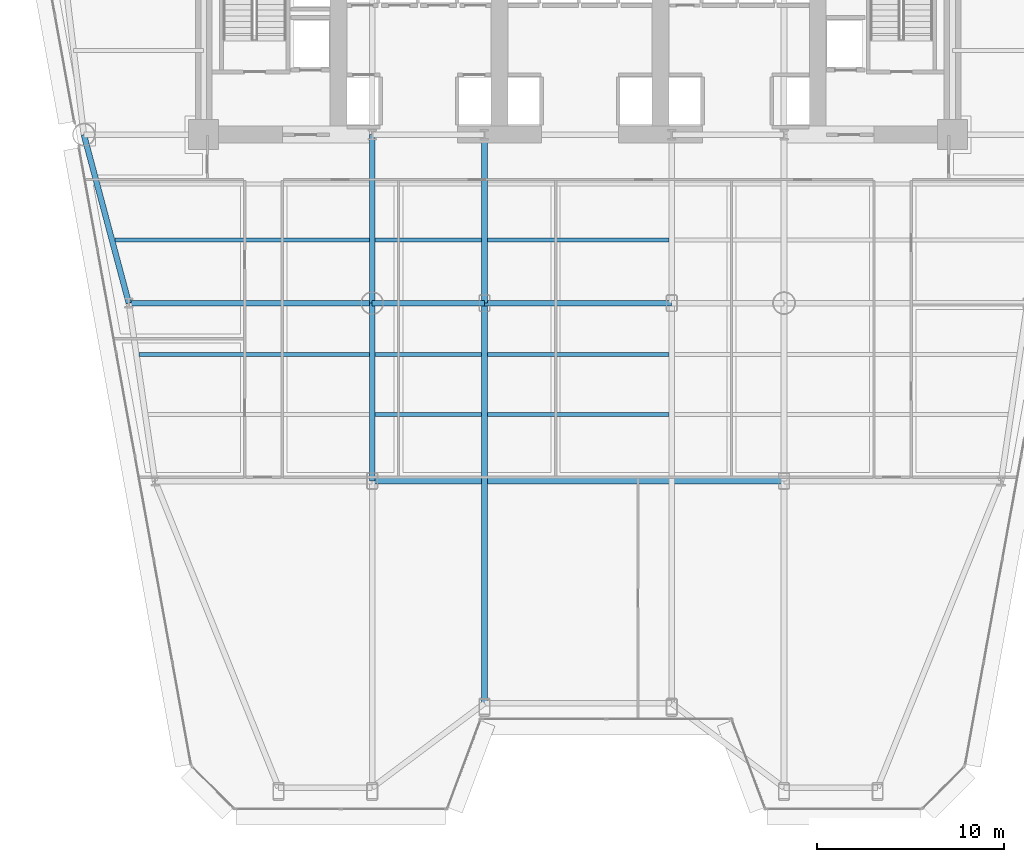
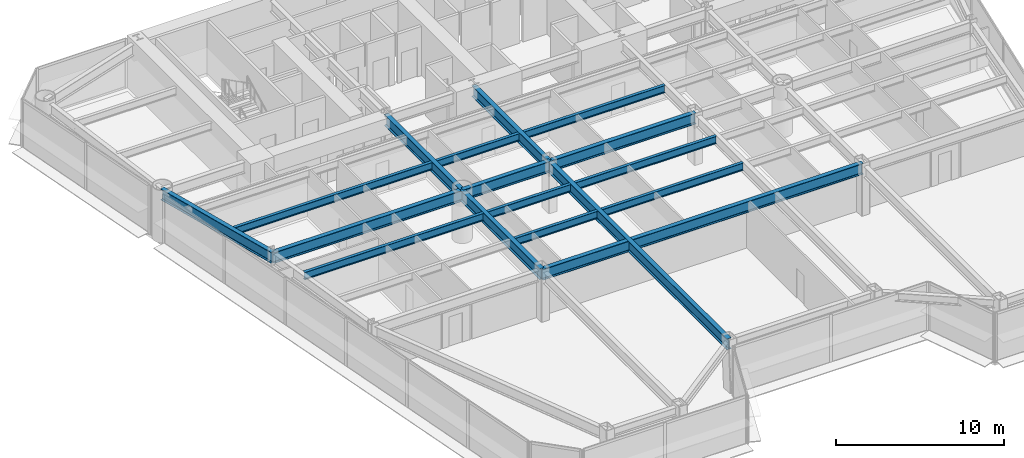
# One storey, part 3 of 14: 17 beams.
"""IFC4 building model written with IfcOpenShell, lengths in metres."""

import ifcopenshell
import ifcopenshell.guid

model = None  # the IFC model being written
_history = None  # IfcOwnerHistory: only IFC2X3 demands one
_inside = {}  # id of a spatial element -> (the spatial element, [elements in it])
_under = {}  # id of a project, library or spatial element -> (it, [spatial elements below it])
_declared = {}  # id of a project -> (the project, [libraries it declares])
_typed = {}  # id of a type object -> (the type object, [elements of that type])
_made_of = {}  # id of a material, layer set ... -> (it, [elements and type objects made of it])


def new_model(schema):
    """Start an empty IFC model of exactly this schema.

    Asked for "IFC4X3", IfcOpenShell would pick the latest addendum, in which some entities
    have other attributes; the version numbers below select the first issue.
    IFC2X3 requires an IfcOwnerHistory on every rooted entity: one is made here for all.
    """
    global model, _history
    if schema == "IFC4X3":
        model = ifcopenshell.file(schema_version=(4, 3, 0, 0))
    else:
        model = ifcopenshell.file(schema=schema)
    _inside.clear()
    _under.clear()
    _declared.clear()
    _typed.clear()
    _made_of.clear()
    _history = None
    if model.schema == "IFC2X3":
        org = make("IfcOrganization", Name="unknown")
        user = make(
            "IfcPersonAndOrganization",
            ThePerson=make("IfcPerson", FamilyName="unknown"),
            TheOrganization=org,
        )
        app = make(
            "IfcApplication",
            ApplicationDeveloper=org,
            Version="unknown",
            ApplicationFullName="unknown",
            ApplicationIdentifier="unknown",
        )
        _history = make(
            "IfcOwnerHistory",
            OwningUser=user,
            OwningApplication=app,
            ChangeAction="ADDED",
            CreationDate=0,
        )
    return model


def make(cls, **values):
    """One entity of the class cls with the attributes given. An attribute that is None is left unset."""
    return model.create_entity(
        cls, **{name: value for name, value in values.items() if value is not None}
    )


def rooted(cls, **values):
    """An entity with a GlobalId (a new one), such as an element, a storey or a relation."""
    return make(cls, GlobalId=ifcopenshell.guid.new(), OwnerHistory=_history, **values)


def si_unit(unit_type, name, prefix=None):
    """IfcSIUnit, for example si_unit("LENGTHUNIT", "METRE", prefix="MILLI")."""
    return make("IfcSIUnit", UnitType=unit_type, Prefix=prefix, Name=name)


def assignment(units):
    """IfcUnitAssignment: the units of a project."""
    return None if units is None else make("IfcUnitAssignment", Units=units)


def point(xyz):
    """IfcCartesianPoint."""
    return None if xyz is None else make("IfcCartesianPoint", Coordinates=xyz)


def direction(xyz):
    """IfcDirection."""
    return None if xyz is None else make("IfcDirection", DirectionRatios=xyz)


def frame(location, z_axis=None, x_axis=None):
    """IfcAxis2Placement3D, a coordinate frame: its origin and axes. An axis left out is left unset."""
    return make(
        "IfcAxis2Placement3D",
        Location=point(location),
        Axis=direction(z_axis),
        RefDirection=direction(x_axis),
    )


def frame_2d(location, x_axis=None):
    """IfcAxis2Placement2D, a coordinate frame in the plane: its origin and x axis."""
    return make(
        "IfcAxis2Placement2D", Location=point(location), RefDirection=direction(x_axis)
    )


def origin():
    """The frame at (0, 0, 0) with its axes left unset."""
    return frame((0.0, 0.0, 0.0))


def origin_2d():
    """The frame at (0, 0) in the plane with its x axis left unset."""
    return frame_2d((0.0, 0.0))


def place(relative_to, where):
    """IfcLocalPlacement: puts the frame where relative to a parent placement (None: the world)."""
    return make(
        "IfcLocalPlacement", PlacementRelTo=relative_to, RelativePlacement=where
    )


def context(
    kind, dimensions, precision=None, world=None, true_north=None, identifier=None
):
    """IfcGeometricRepresentationContext, for example the 3D "Model" context."""
    return make(
        "IfcGeometricRepresentationContext",
        ContextIdentifier=identifier,
        ContextType=kind,
        CoordinateSpaceDimension=dimensions,
        Precision=precision,
        WorldCoordinateSystem=world,
        TrueNorth=true_north,
    )


def subcontext(parent, identifier, kind, view, scale=None):
    """IfcGeometricRepresentationSubContext, for example "Body" below "Model"."""
    return make(
        "IfcGeometricRepresentationSubContext",
        ContextIdentifier=identifier,
        ContextType=kind,
        ParentContext=parent,
        TargetScale=scale,
        TargetView=view,
    )


def project(units=None, contexts=None):
    """IfcProject with its units and contexts."""
    return rooted(
        "IfcProject",
        Name="project",
        RepresentationContexts=contexts,
        UnitsInContext=assignment(units),
    )


def spatial(cls, under=None, at=None, **own):
    """A site, building, storey or space (cls), placed at a placement, below another one or the project."""
    s = rooted(cls, ObjectPlacement=at, **own)
    if under is not None:
        _under.setdefault(under.id(), (under, []))[1].append(s)
    return s


def profile(cls, at=None, kind="AREA", **sizes):
    """A parametric profile (cls). Its sizes go by their IFC names, for example OverallWidth=200.0."""
    return make(cls, ProfileType=kind, Position=at, **sizes)


def i_section(**sizes):
    """IfcIShapeProfileDef."""
    return profile("IfcIShapeProfileDef", **sizes)


def extrude(swept, where, along, depth):
    """IfcExtrudedAreaSolid: the profile swept, set in the frame where, extruded along a direction by depth."""
    return make(
        "IfcExtrudedAreaSolid",
        SweptArea=swept,
        Position=where,
        ExtrudedDirection=direction(along),
        Depth=depth,
    )


def shape(context_of_items, identifier, shape_type, items):
    """IfcShapeRepresentation: the items that make up one representation, for example the "Body"."""
    return make(
        "IfcShapeRepresentation",
        ContextOfItems=context_of_items,
        RepresentationIdentifier=identifier,
        RepresentationType=shape_type,
        Items=items,
    )


def source(mapping_origin, context_of_items, identifier, shape_type, items):
    """IfcRepresentationMap: a shape defined once, which mapped items show again and again."""
    return make(
        "IfcRepresentationMap",
        MappingOrigin=mapping_origin,
        MappedRepresentation=shape(context_of_items, identifier, shape_type, items),
    )


def transform(
    local_origin,
    x_axis=None,
    y_axis=None,
    z_axis=None,
    scale=None,
    scale2=None,
    scale3=None,
    uniform=True,
):
    """IfcCartesianTransformationOperator3D, or its non-uniform kind. x_axis, y_axis, z_axis: its Axis1, 2, 3."""
    if uniform:
        return make(
            "IfcCartesianTransformationOperator3D",
            Axis1=direction(x_axis),
            Axis2=direction(y_axis),
            LocalOrigin=point(local_origin),
            Scale=scale,
            Axis3=direction(z_axis),
        )
    return make(
        "IfcCartesianTransformationOperator3DnonUniform",
        Axis1=direction(x_axis),
        Axis2=direction(y_axis),
        LocalOrigin=point(local_origin),
        Scale=scale,
        Axis3=direction(z_axis),
        Scale2=scale2,
        Scale3=scale3,
    )


def mapped(mapping_source, mapping_target):
    """IfcMappedItem: shows the shape of a source again, moved by a transform."""
    return make(
        "IfcMappedItem", MappingSource=mapping_source, MappingTarget=mapping_target
    )


def material(Name=None, Category=None):
    """IfcMaterial."""
    return make("IfcMaterial", Name=Name, Category=Category)


def material_profile(
    of_material, cross_section, Name=None, Category=None, Priority=None
):
    """IfcMaterialProfile: a cross section and its material."""
    return make(
        "IfcMaterialProfile",
        Name=Name,
        Material=of_material,
        Profile=cross_section,
        Priority=Priority,
        Category=Category,
    )


def profile_set(profiles, Name=None, composite=None):
    """IfcMaterialProfileSet."""
    return make(
        "IfcMaterialProfileSet",
        Name=Name,
        MaterialProfiles=profiles,
        CompositeProfile=composite,
    )


def made_of(thing, what):
    """Note that an element or type object is made of a material, layer set ...; save() writes the relation."""
    if what is not None:
        _made_of.setdefault(what.id(), (what, []))[1].append(thing)
    return thing


def type_object(cls, material=None, **own):
    """A type object (cls), such as IfcWallType, which elements share."""
    return made_of(rooted(cls, **own), material)


def element(
    cls,
    number,
    at=None,
    inside=None,
    cuts=None,
    type_object=None,
    material=None,
    context=None,
    identifier="Body",
    shape_type=None,
    held_by="IfcProductDefinitionShape",
    body=None,
    shapes=None,
    **own,
):
    """One element of the class cls, such as IfcWall. Its Tag is "e" and its number.

    at: its placement. inside: the storey or other place that contains it. cuts: it is an
    opening in that element (IfcRelVoidsElement). A single representation is given by context,
    identifier, shape_type and body (its items); several are given by shapes. held_by: the class
    of the entity that holds the representations. save() writes the other relations.
    """
    e = rooted(cls, Tag="e%d" % number, ObjectPlacement=at, **own)
    if body is not None:
        shapes = [shape(context, identifier, shape_type, body)]
    if shapes is not None:
        e.Representation = make(held_by, Representations=shapes)
    if inside is not None:
        _inside.setdefault(inside.id(), (inside, []))[1].append(e)
    if cuts is not None:
        rooted(
            "IfcRelVoidsElement", RelatingBuildingElement=cuts, RelatedOpeningElement=e
        )
    if type_object is not None:
        _typed.setdefault(type_object.id(), (type_object, []))[1].append(e)
    return made_of(e, material)


def aggregate(whole, parts):
    """IfcRelAggregates: a whole, such as a stair, and the parts it consists of."""
    return rooted("IfcRelAggregates", RelatingObject=whole, RelatedObjects=parts)


def save(model, path):
    """Write the relations noted so far, then the file.

    IfcRelAggregates (storeys below a building ...), IfcRelContainedInSpatialStructure (elements
    in a storey), IfcRelDefinesByType, IfcRelAssociatesMaterial and IfcRelDeclares: one each for
    every whole, place, type object, material and project.
    """
    for whole, parts in _under.values():
        aggregate(whole, parts)
    for where, things in _inside.values():
        rooted(
            "IfcRelContainedInSpatialStructure",
            RelatedElements=things,
            RelatingStructure=where,
        )
    for kind, things in _typed.values():
        rooted("IfcRelDefinesByType", RelatedObjects=things, RelatingType=kind)
    for what, things in _made_of.values():
        rooted("IfcRelAssociatesMaterial", RelatedObjects=things, RelatingMaterial=what)
    for by, libraries in _declared.values():
        rooted("IfcRelDeclares", RelatingContext=by, RelatedDefinitions=libraries)
    model.write(path)


model = new_model("IFC4")

# Units and contexts
model_context = context("Model", 3, precision=1e-05, world=origin(), true_north=direction((0.0, 1.0)))
body_context = subcontext(model_context, "Body", "Model", "MODEL_VIEW")
ifc_project = project(units=[si_unit("LENGTHUNIT", "METRE"), si_unit("AREAUNIT", "SQUARE_METRE"), si_unit("VOLUMEUNIT", "CUBIC_METRE"), si_unit("PLANEANGLEUNIT", "RADIAN"), si_unit("MASSUNIT", "GRAM", prefix="KILO")], contexts=[model_context])

# Site, building, storey
site_placement = place(None, origin())
site = spatial("IfcSite", under=ifc_project, at=site_placement, CompositionType="ELEMENT")
building_placement = place(site_placement, origin())
building = spatial("IfcBuilding", under=site, at=building_placement, Name="Vaeldorn Concourse Tower", CompositionType="ELEMENT")
storey_placement = place(building_placement, frame((0.0, 0.0, 26.39990234375)))
storey = spatial("IfcBuildingStorey", under=building, at=storey_placement, Name="L06", CompositionType="ELEMENT", Elevation=26.39990234375)

# Beams
ifc_material = material(Name="Steel S355", Category="steel")
ifc_material_profile_1 = material_profile(ifc_material, i_section(OverallWidth=0.300048828125, OverallDepth=0.800048828125, WebThickness=0.017578125, FlangeThickness=0.032958984375, FilletRadius=0.030029296875, at=origin_2d()), Name="HEB 800")
ifc_profile_set_1 = profile_set([ifc_material_profile_1], Name="Steel S355")
beam_type_1 = type_object("IfcBeamType", Name="BM-PG-HEB800", PredefinedType="BEAM", material=ifc_profile_set_1)
shared_shape_1 = source(origin(), body_context, "Body", "SweptSolid", [
    extrude(i_section(OverallWidth=0.300048828125, OverallDepth=0.800048828125, WebThickness=0.017578125, FlangeThickness=0.032958984375, FilletRadius=0.030029296875, at=origin_2d()), origin(), (0.0, 0.0, 1.0), 6.0),
])
beam_1_placement = place(storey_placement, frame((23.0, 27.5, 3.18017578125), z_axis=(1.0, 0.0, 0.0), x_axis=(0.0, 1.0, 0.0)))
element("IfcBeam", 1, at=beam_1_placement, inside=storey, type_object=beam_type_1, Name="Beam BM-L06-C-TW1-C-TW2", PredefinedType="BEAM", context=body_context, shape_type="MappedRepresentation", body=[
    mapped(shared_shape_1, transform((0.0, 0.0, 0.0), scale=1.0)),
])
shared_shape_2 = source(origin(), body_context, "Body", "SweptSolid", [
    extrude(i_section(OverallWidth=0.300048828125, OverallDepth=0.800048828125, WebThickness=0.017578125, FlangeThickness=0.032958984375, FilletRadius=0.030029296875, at=origin_2d()), origin(), (0.0, 0.0, 1.0), 10.0),
])
beam_2_placement = place(storey_placement, frame((29.0, 27.5, 3.18017578125), z_axis=(1.0, 0.0, 0.0), x_axis=(0.0, 1.0, 0.0)))
element("IfcBeam", 2, at=beam_2_placement, inside=storey, type_object=beam_type_1, Name="Beam BM-L06-C-TW2-C-TW3", PredefinedType="BEAM", context=body_context, shape_type="MappedRepresentation", body=[
    mapped(shared_shape_2, transform((0.0, 0.0, 0.0), scale=1.0)),
])
shared_shape_3 = source(origin(), body_context, "Body", "SweptSolid", [
    extrude(i_section(OverallWidth=0.300048828125, OverallDepth=0.800048828125, WebThickness=0.017578125, FlangeThickness=0.032958984375, FilletRadius=0.030029296875, at=origin_2d()), origin(), (0.0, 0.0, 1.0), 9.0),
])
for number, where, z_axis, x_axis, name in (
    (3, (23.0, 27.5, 3.18017578125), (0.0, 1.0, 0.0), (-1.0, 0.0, 0.0), "Beam BM-L06-C-TW1-C-FC2"),
    (4, (29.0, 27.5, 3.18017578125), (0.0, 1.0, 0.0), (-1.0, 0.0, 0.0), "Beam BM-L06-C-TW2-C-FC3"),
):
    element("IfcBeam", number, at=place(storey_placement, frame(where, z_axis=z_axis, x_axis=x_axis)), inside=storey, type_object=beam_type_1, Name=name, PredefinedType="BEAM", context=body_context, shape_type="MappedRepresentation", body=[
        mapped(shared_shape_3, transform((0.0, 0.0, 0.0), scale=1.0)),
    ])
shared_shape_4 = source(origin(), body_context, "Body", "SweptSolid", [
    extrude(i_section(OverallWidth=0.300048828125, OverallDepth=0.800048828125, WebThickness=0.017578125, FlangeThickness=0.032958984375, FilletRadius=0.030029296875, at=origin_2d()), origin(), (0.0, 0.0, 1.0), 9.314453125),
])
beam_3_placement = place(storey_placement, frame((7.60009765625, 36.5, 3.18017578125), z_axis=(0.257652862255, -0.966237549763, 0.0), x_axis=(0.966237549763, 0.257652862255, 0.0)))
element("IfcBeam", 5, at=beam_3_placement, inside=storey, type_object=beam_type_1, Name="Beam BM-L06-C-NW2-C-FLW1", PredefinedType="BEAM", context=body_context, shape_type="MappedRepresentation", body=[
    mapped(shared_shape_4, transform((0.0, 0.0, 0.0), scale=1.0)),
])
shared_shape_5 = source(origin(), body_context, "Body", "SweptSolid", [
    extrude(i_section(OverallWidth=0.300048828125, OverallDepth=0.800048828125, WebThickness=0.017578125, FlangeThickness=0.032958984375, FilletRadius=0.030029296875, at=origin_2d()), origin(), (0.0, 0.0, 1.0), 13.0),
])
beam_4_placement = place(storey_placement, frame((10.0, 27.5, 3.18017578125), z_axis=(1.0, 0.0, 0.0), x_axis=(0.0, 1.0, 0.0)))
element("IfcBeam", 6, at=beam_4_placement, inside=storey, type_object=beam_type_1, Name="Beam BM-L06-C-FLW1-C-TW1", PredefinedType="BEAM", context=body_context, shape_type="MappedRepresentation", body=[
    mapped(shared_shape_5, transform((0.0, 0.0, 0.0), scale=1.0)),
])
shared_shape_6 = source(origin(), body_context, "Body", "SweptSolid", [
    extrude(i_section(OverallWidth=0.300048828125, OverallDepth=0.800048828125, WebThickness=0.017578125, FlangeThickness=0.032958984375, FilletRadius=0.030029296875, at=origin_2d()), origin(), (0.0, 0.0, 1.0), 22.0),
])
beam_5_placement = place(storey_placement, frame((23.0, 18.0, 3.18017578125), z_axis=(1.0, 0.0, 0.0), x_axis=(0.0, 1.0, 0.0)))
element("IfcBeam", 7, at=beam_5_placement, inside=storey, type_object=beam_type_1, Name="Beam BM-L06-C-TW5-C-TW6", PredefinedType="BEAM", context=body_context, shape_type="MappedRepresentation", body=[
    mapped(shared_shape_6, transform((0.0, 0.0, 0.0), scale=1.0)),
])
shared_shape_7 = source(origin(), body_context, "Body", "SweptSolid", [
    extrude(i_section(OverallWidth=0.300048828125, OverallDepth=0.800048828125, WebThickness=0.017578125, FlangeThickness=0.032958984375, FilletRadius=0.030029296875, at=origin_2d()), origin(), (0.0, 0.0, 1.0), 9.5),
])
beam_6_placement = place(storey_placement, frame((23.0, 18.0, 3.18017578125), z_axis=(0.0, 1.0, 0.0), x_axis=(-1.0, 0.0, 0.0)))
element("IfcBeam", 8, at=beam_6_placement, inside=storey, type_object=beam_type_1, Name="Beam BM-L06-C-TW5-C-TW1", PredefinedType="BEAM", context=body_context, shape_type="MappedRepresentation", body=[
    mapped(shared_shape_7, transform((0.0, 0.0, 0.0), scale=1.0)),
])
ifc_material_profile_2 = material_profile(ifc_material, i_section(OverallWidth=0.2099609375, OverallDepth=0.550048828125, WebThickness=0.010986328125, FlangeThickness=0.01708984375, FilletRadius=0.02392578125, at=origin_2d()), Name="IPE 550")
ifc_profile_set_2 = profile_set([ifc_material_profile_2], Name="Steel S355")
beam_type_2 = type_object("IfcBeamType", Name="BM-JS-IPE550", PredefinedType="JOIST", material=ifc_profile_set_2)
shared_shape_8 = source(origin(), body_context, "Body", "SweptSolid", [
    extrude(i_section(OverallWidth=0.2099609375, OverallDepth=0.550048828125, WebThickness=0.010986328125, FlangeThickness=0.01708984375, FilletRadius=0.02392578125, at=origin_2d()), origin(), (0.0, 0.0, 1.0), 5.7001953125),
])
for number, where, z_axis, x_axis, name in (
    (9, (23.14990234375, 21.56005859375, 3.30517578125), (1.0, 0.0, 0.0), (0.0, 1.0, 0.0), "Beam JS-L06-W2-215"),
    (10, (23.14990234375, 24.760009765625, 3.30517578125), (1.0, 0.0, 0.0), (0.0, 1.0, 0.0), "Beam JS-L06-W2-247"),
    (11, (23.14990234375, 30.860107421875, 3.30517578125), (1.0, 0.0, 0.0), (0.0, 1.0, 0.0), "Beam JS-L06-W2-308"),
):
    element("IfcBeam", number, at=place(storey_placement, frame(where, z_axis=z_axis, x_axis=x_axis)), inside=storey, type_object=beam_type_2, Name=name, PredefinedType="JOIST", context=body_context, shape_type="MappedRepresentation", body=[
        mapped(shared_shape_8, transform((0.0, 0.0, 0.0), scale=1.0)),
    ])
shared_shape_9 = source(origin(), body_context, "Body", "SweptSolid", [
    extrude(i_section(OverallWidth=0.2099609375, OverallDepth=0.550048828125, WebThickness=0.010986328125, FlangeThickness=0.01708984375, FilletRadius=0.02392578125, at=origin_2d()), origin(), (0.0, 0.0, 1.0), 9.7001953125),
])
for number, where, z_axis, x_axis, name in (
    (12, (29.14990234375, 21.56005859375, 3.30517578125), (1.0, 0.0, 0.0), (0.0, 1.0, 0.0), "Beam JS-L06-C-215"),
    (13, (29.14990234375, 24.760009765625, 3.30517578125), (1.0, 0.0, 0.0), (0.0, 1.0, 0.0), "Beam JS-L06-C-247"),
    (14, (29.14990234375, 30.860107421875, 3.30517578125), (1.0, 0.0, 0.0), (0.0, 1.0, 0.0), "Beam JS-L06-C-308"),
):
    element("IfcBeam", number, at=place(storey_placement, frame(where, z_axis=z_axis, x_axis=x_axis)), inside=storey, type_object=beam_type_2, Name=name, PredefinedType="JOIST", context=body_context, shape_type="MappedRepresentation", body=[
        mapped(shared_shape_9, transform((0.0, 0.0, 0.0), scale=1.0)),
    ])
shared_shape_10 = source(origin(), body_context, "Body", "SweptSolid", [
    extrude(i_section(OverallWidth=0.300048828125, OverallDepth=0.800048828125, WebThickness=0.017578125, FlangeThickness=0.032958984375, FilletRadius=0.030029296875, at=origin_2d()), origin(), (0.0, 0.0, 1.0), 21.3828125),
])
beam_7_placement = place(storey_placement, frame((29.0, 6.1171875, 3.18017578125), z_axis=(0.0, 1.0, 0.0), x_axis=(-1.0, 0.0, 0.0)))
element("IfcBeam", 15, at=beam_7_placement, inside=storey, type_object=beam_type_1, Name="Beam BM-L06-C-SF3-C-TW2", PredefinedType="BEAM", context=body_context, shape_type="MappedRepresentation", body=[
    mapped(shared_shape_10, transform((0.0, 0.0, 0.0), scale=1.0)),
])
shared_shape_11 = source(origin(), body_context, "Body", "SweptSolid", [
    extrude(i_section(OverallWidth=0.2099609375, OverallDepth=0.550048828125, WebThickness=0.010986328125, FlangeThickness=0.01708984375, FilletRadius=0.02392578125, at=origin_2d()), origin(), (0.0, 0.0, 1.0), 12.29638671875),
])
beam_8_placement = place(storey_placement, frame((10.5537109375, 24.760009765625, 3.30517578125), z_axis=(1.0, 0.0, 0.0), x_axis=(0.0, 1.0, 0.0)))
element("IfcBeam", 16, at=beam_8_placement, inside=storey, type_object=beam_type_2, Name="Beam JS-L06-W1-247", PredefinedType="JOIST", context=body_context, shape_type="MappedRepresentation", body=[
    mapped(shared_shape_11, transform((0.0, 0.0, 0.0), scale=1.0)),
])
shared_shape_12 = source(origin(), body_context, "Body", "SweptSolid", [
    extrude(i_section(OverallWidth=0.2099609375, OverallDepth=0.550048828125, WebThickness=0.010986328125, FlangeThickness=0.01708984375, FilletRadius=0.02392578125, at=origin_2d()), origin(), (0.0, 0.0, 1.0), 13.59619140625),
])
beam_9_placement = place(storey_placement, frame((9.25390625, 30.860107421875, 3.30517578125), z_axis=(1.0, 0.0, 0.0), x_axis=(0.0, 1.0, 0.0)))
element("IfcBeam", 17, at=beam_9_placement, inside=storey, type_object=beam_type_2, Name="Beam JS-L06-W1-308", PredefinedType="JOIST", context=body_context, shape_type="MappedRepresentation", body=[
    mapped(shared_shape_12, transform((0.0, 0.0, 0.0), scale=1.0)),
])

save(model, "model.ifc")
